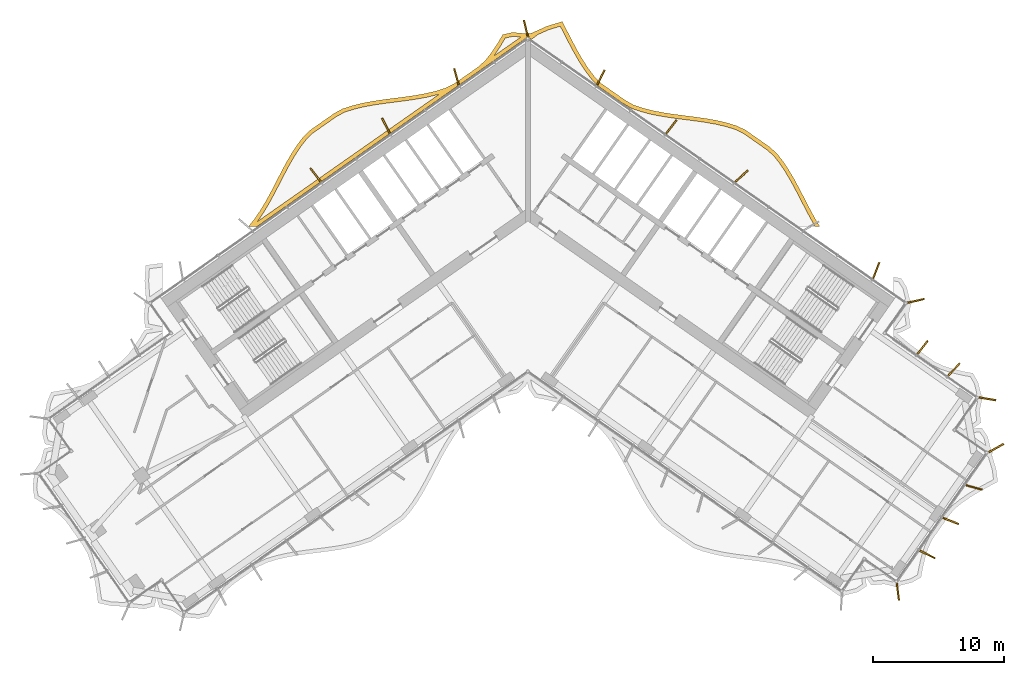
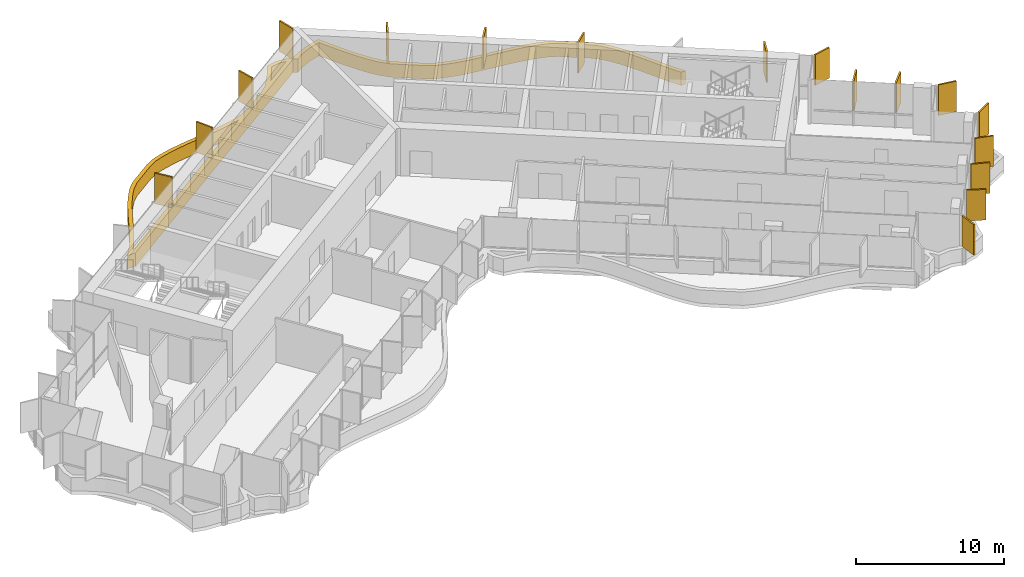
# One storey, part 23 of 23: 18 shading devices.
"""IFC4 building model written with IfcOpenShell, lengths in metres."""

from ifc_helpers import new_model, si_unit, direction, frame, origin, origin_2d, place, context, subcontext, project, spatial, polyline, rectangle, outline, extrude, material, layer, layer_set, type_object, element, save


model = new_model("IFC4")

# Units and contexts
model_context = context("Model", 3, precision=1e-05, world=origin(), true_north=direction((0.0, 1.0)))
body_context = subcontext(model_context, "Body", "Model", "MODEL_VIEW")
ifc_project = project(units=[si_unit("LENGTHUNIT", "METRE"), si_unit("AREAUNIT", "SQUARE_METRE"), si_unit("VOLUMEUNIT", "CUBIC_METRE"), si_unit("PLANEANGLEUNIT", "RADIAN"), si_unit("MASSUNIT", "GRAM", prefix="KILO")], contexts=[model_context])

# Site, building, storey
site_placement = place(None, origin())
site = spatial("IfcSite", under=ifc_project, at=site_placement, CompositionType="ELEMENT")
building_placement = place(site_placement, origin())
building = spatial("IfcBuilding", under=site, at=building_placement, Name="Tel Ilan Convention Tower", CompositionType="ELEMENT")
storey_placement = place(building_placement, frame((0.0, 0.0, 198.300048828125)))
storey = spatial("IfcBuildingStorey", under=building, at=storey_placement, Name="L46", CompositionType="ELEMENT", Elevation=198.300048828125)

# Shading devices
ifc_material_1 = material(Name="Aluminium, bronze anodised", Category="aluminium")
ifc_layer_1 = layer(ifc_material_1, 0.1201171875)
ifc_layer_set_1 = layer_set([ifc_layer_1], Name="FIN BRONZE 1300x120")
shading_device_type_1 = type_object("IfcShadingDeviceType", Name="FIN BRONZE 1300x120", PredefinedType="USERDEFINED", material=ifc_layer_set_1)
for number, where, z_axis, x_axis, name in (
    (1, (29.594970703125, -7.31494140625, 1.099853515625), (0.0, 0.0, 1.0), (0.975235208752, 0.221170268371, 0.0), "FIN"),
    (2, (26.568359375, -4.997802734375, 1.099853515625), (0.0, 0.0, 1.0), (0.360177724803, 0.932883704733, 0.0), "FIN"),
    (3, (16.29345703125, 2.196533203125, 1.099853515625), (0.0, 0.0, 1.0), (0.753435896329, 0.657521368568, 0.0), "FIN"),
    (4, (10.929931640625, 5.96044921875, 1.099853515625), (0.0, 0.0, 1.0), (0.612600545196, 0.790392669516, 0.0), "FIN"),
    (5, (5.561767578125, 9.718994140625, 1.099853515625), (0.0, 0.0, 1.0), (0.448799180206, 0.893632640321, 0.0), "FIN"),
    (6, (-0.156005859375, 13.463134765625, 1.099853515625), (0.0, 0.0, 1.0), (-0.240039791311, 0.970763049661, 0.0), "FIN"),
    (7, (-5.45068359375, 9.7734375, 1.099853515625), (0.0, 0.0, 1.0), (-0.268172612768, 0.963370878614, 0.0), "FIN"),
    (8, (-10.826904296875, 6.0322265625, 1.099853515625), (0.0, 0.0, 1.0), (-0.448799180206, 0.893632640321, 0.0), "FIN"),
    (9, (-16.1953125, 2.273681640625, 1.099853515625), (0.0, 0.0, 1.0), (-0.612600545196, 0.790392669516, 0.0), "FIN"),
    (10, (28.21875, -29.50439453125, 1.099853515625), (0.0, 0.0, 1.0), (0.125718016748, -0.992066016082, 0.0), "FIN"),
    (11, (30.4736328125, -26.6552734375, 1.099853515625), (0.0, 0.0, 1.0), (0.893632640321, -0.448799180206, 0.0), "FIN"),
    (12, (32.253173828125, -24.1025390625, 1.099853515625), (0.0, 0.0, 1.0), (0.932883704733, -0.360177724803, 0.0), "FIN"),
    (13, (34.02685546875, -21.547607421875, 1.099853515625), (0.0, 0.0, 1.0), (0.963370878614, -0.268172612768, 0.0), "FIN"),
    (14, (35.719482421875, -18.540771484375, 1.099853515625), (0.0, 0.0, 1.0), (0.870832754082, 0.491579408049, 0.0), "FIN"),
    (15, (35.057861328125, -14.788818359375, 1.099853515625), (0.0, 0.0, 1.0), (0.986445172547, -0.16409119891, 0.0), "FIN"),
    (16, (32.5, -12.561767578125, 1.099853515625), (0.0, 0.0, 1.0), (0.686241637865, 0.727373641577, 0.0), "FIN"),
    (17, (30.1005859375, -10.881103515625, 1.099853515625), (0.0, 0.0, 1.0), (0.612600545196, 0.790392669516, 0.0), "FIN"),
):
    element("IfcShadingDevice", number, at=place(storey_placement, frame(where, z_axis=z_axis, x_axis=x_axis)), inside=storey, type_object=shading_device_type_1, Name=name, ObjectType="FIN", PredefinedType="USERDEFINED", context=body_context, shape_type="SweptSolid", body=[
        extrude(rectangle(XDim=1.300048828125, YDim=0.1201171875, at=origin_2d()), origin(), (0.0, 0.0, 1.0), 2.52001953125),
    ])
ifc_material_2 = material(Name="Aluminium, bronze anodised", Category="aluminium")
ifc_layer_2 = layer(ifc_material_2, 0.300048828125)
ifc_layer_set_2 = layer_set([ifc_layer_2], Name="LOUVRE BAND 300x1100")
shading_device_type_2 = type_object("IfcShadingDeviceType", Name="LOUVRE BAND 300x1100", PredefinedType="USERDEFINED", material=ifc_layer_set_2)
shading_device_placement = place(storey_placement, origin())
element("IfcShadingDevice", 18, at=shading_device_placement, inside=storey, type_object=shading_device_type_2, Name="LOUVRE BAND 36.02", ObjectType="LOUVRE", PredefinedType="USERDEFINED", context=body_context, shape_type="SweptSolid", body=[
    extrude(outline(polyline([(-20.849609375, -1.0634765625), (-21.30126953125, -1.631591796875), (-20.63623046875, -1.631591796875), (0.0, 12.818115234375), (0.261474609375, 12.635009765625), (0.71044921875, 12.94921875), (0.651611328125, 12.94921875), (1.583984375, 13.365234375), (2.46484375, 13.628173828125), (3.115478515625, 12.37158203125), (3.5078125, 11.636474609375), (3.92041015625, 10.921630859375), (4.362548828125, 10.239501953125), (4.84716796875, 9.595947265625), (5.407958984375, 9.031494140625), (7.251220703125, 7.74072265625), (7.93212890625, 7.353759765625), (8.69921875, 7.09716796875), (9.48291015625, 6.89990234375), (10.2900390625, 6.745361328125), (11.112060546875, 6.621337890625), (12.762939453125, 6.408935546875), (13.572509765625, 6.29248046875), (14.3583984375, 6.15185546875), (15.11279296875, 5.97509765625), (15.819580078125, 5.75537109375), (16.44921875, 5.450927734375), (18.22607421875, 4.206787109375), (18.74951171875, 3.746826171875), (19.200927734375, 3.172607421875), (19.63037109375, 2.533447265625), (20.03515625, 1.850341796875), (20.423583984375, 1.13427734375), (21.186767578125, -0.3427734375), (21.5810546875, -1.075927734375), (21.906005859375, -1.631591796875), (22.25341796875, -1.631591796875), (21.8427734375, -0.928955078125), (21.4521484375, -0.202880859375), (20.688720703125, 1.27490234375), (20.296142578125, 1.998291015625), (19.884033203125, 2.69384765625), (19.44384765625, 3.34912109375), (18.96826171875, 3.9541015625), (18.41162109375, 4.443115234375), (16.6015625, 5.71044921875), (15.929931640625, 6.03515625), (15.191650390625, 6.2646484375), (14.419189453125, 6.44580078125), (13.6201171875, 6.588623046875), (12.80322265625, 6.7060546875), (11.15380859375, 6.91845703125), (10.340576171875, 7.041259765625), (9.547607421875, 7.19287109375), (8.783447265625, 7.385498046875), (8.054931640625, 7.62890625), (7.411865234375, 7.99462890625), (5.601806640625, 9.261962890625), (5.074462890625, 9.792724609375), (4.608642578125, 10.41162109375), (4.17626953125, 11.078369140625), (3.770263671875, 11.7822265625), (3.38134765625, 12.510986328125), (2.6162109375, 13.986328125), (1.4794921875, 13.647216796875), (0.168701171875, 13.059326171875), (0.11474609375, 13.09521484375), (0.0, 13.1181640625), (-0.11474609375, 13.09521484375), (-0.168701171875, 13.059326171875), (-1.14208984375, 13.1650390625), (-1.919921875, 12.991943359375), (-2.3310546875, 12.294921875), (-2.769287109375, 11.63671875), (-3.242431640625, 11.0283203125), (-3.7919921875, 10.529296875), (-5.601806640625, 9.261962890625), (-6.26611328125, 8.926513671875), (-7.002197265625, 8.693603515625), (-7.7724609375, 8.509765625), (-8.570068359375, 8.36474609375), (-9.385986328125, 8.24609375), (-11.03564453125, 8.033935546875), (-11.849853515625, 7.91259765625), (-12.644287109375, 7.76318359375), (-13.41064453125, 7.573486328125), (-14.141845703125, 7.33349609375), (-14.791748046875, 6.977783203125), (-16.6015625, 5.71044921875), (-17.136474609375, 5.1904296875), (-17.604736328125, 4.574951171875), (-18.0390625, 3.9111328125), (-18.44677734375, 3.209228515625), (-18.83642578125, 2.481689453125), (-19.60009765625, 1.004150390625), (-19.993408203125, 0.281982421875), (-20.4072265625, -0.4111328125), (-20.849609375, -1.0634765625)]), holes=[polyline([(-2.603271484375, 11.361572265625), (-2.525634765625, 11.46142578125), (-2.076904296875, 12.135498046875), (-1.727783203125, 12.727294921875), (-1.12451171875, 12.861572265625), (-0.547119140625, 12.80126953125), (-2.603271484375, 11.361572265625)]), polyline([(-20.614990234375, -1.25048828125), (-20.154052734375, -0.572265625), (-19.73291015625, 0.13330078125), (-19.335205078125, 0.86328125), (-18.57080078125, 2.342041015625), (-18.1845703125, 3.06298828125), (-17.78369140625, 3.75341796875), (-17.359619140625, 4.40185546875), (-16.911376953125, 4.99072265625), (-16.409912109375, 5.478515625), (-14.633056640625, 6.722412109375), (-14.02197265625, 7.05712890625), (-13.32763671875, 7.284912109375), (-12.58056640625, 7.4697265625), (-11.800048828125, 7.61669921875), (-10.994384765625, 7.73681640625), (-9.345458984375, 7.94873046875), (-8.521484375, 8.068603515625), (-7.710693359375, 8.216064453125), (-6.921875, 8.404296875), (-6.748046875, 8.459228515625), (-20.614990234375, -1.25048828125)])]), origin(), (0.0, 0.0, 1.0), 1.099853515625),
])

save(model, "model.ifc")
